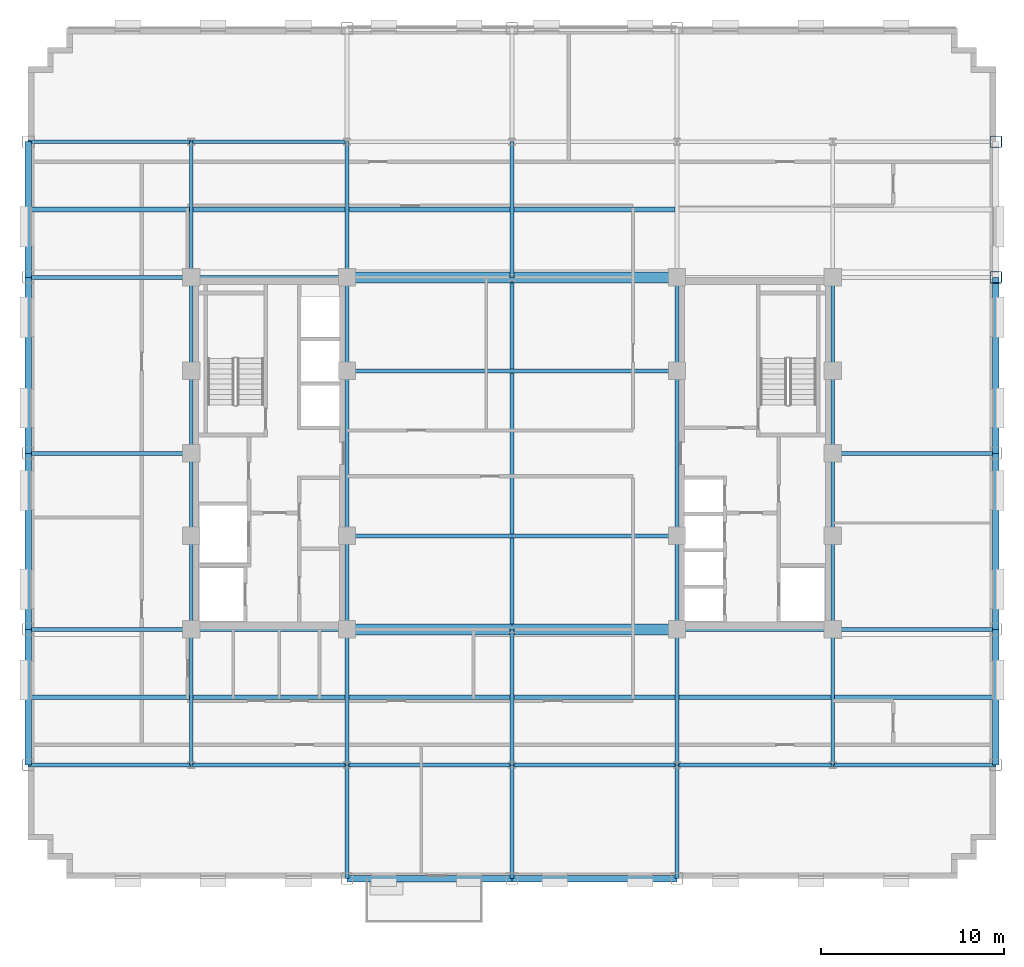
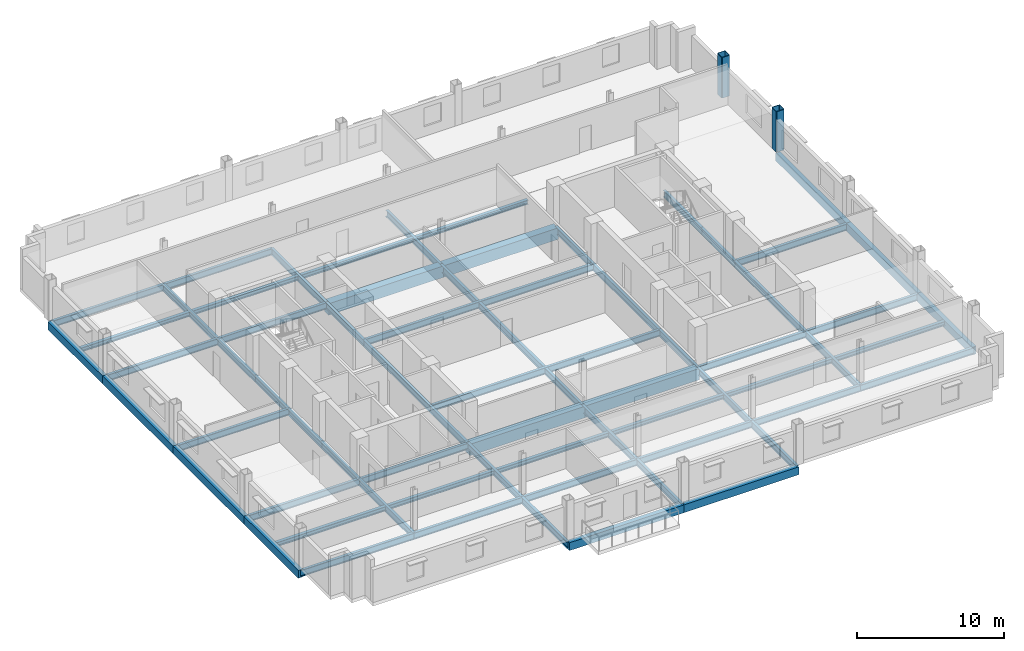
# One storey, part 4 of 14: 67 beams, 2 columns.
"""IFC4 building model written with IfcOpenShell, lengths in metres."""

from ifc_helpers import new_model, si_unit, direction, frame, origin, origin_2d, place, context, subcontext, project, spatial, rectangle, hollow_rectangle, i_section, extrude, material, material_profile, profile_set, type_object, element, save


model = new_model("IFC4")

# Units and contexts
model_context = context("Model", 3, precision=1e-05, world=origin(), true_north=direction((0.0, 1.0)))
body_context = subcontext(model_context, "Body", "Model", "MODEL_VIEW")
ifc_project = project(units=[si_unit("LENGTHUNIT", "METRE"), si_unit("AREAUNIT", "SQUARE_METRE"), si_unit("VOLUMEUNIT", "CUBIC_METRE"), si_unit("PLANEANGLEUNIT", "RADIAN"), si_unit("MASSUNIT", "GRAM", prefix="KILO")], contexts=[model_context])

# Site, building, storey
site_placement = place(None, origin())
site = spatial("IfcSite", under=ifc_project, at=site_placement, CompositionType="ELEMENT")
building_placement = place(site_placement, origin())
building = spatial("IfcBuilding", under=site, at=building_placement, Name="Nuvemarco Arch Tower", CompositionType="ELEMENT")
storey_placement = place(building_placement, frame((0.0, 0.0, 134.800048828125)))
storey = spatial("IfcBuildingStorey", under=building, at=storey_placement, Name="L35", CompositionType="ELEMENT", Elevation=134.800048828125)

# Columns
ifc_material_1 = material(Name="Steel S355", Category="steel")
ifc_material_profile_1 = material_profile(ifc_material_1, hollow_rectangle(XDim=0.64990234375, YDim=0.64990234375, WallThickness=0.0400390625, InnerFilletRadius=0.0400390625, OuterFilletRadius=0.080078125, at=origin_2d()), Name="SHS650x650x40")
ifc_profile_set_1 = profile_set([ifc_material_profile_1], Name="Steel S355")
column_type = type_object("IfcColumnType", Name="COL-EXO-650", PredefinedType="COLUMN", material=ifc_profile_set_1)
for number, where, z_axis, x_axis, name in (
    (1, (26.39990234375, 9.60009765625, 0.0), (0.0, 0.0, 1.0), (1.0, 0.0, 0.0), "L35 column CX_+26.4_+9.6"),
    (2, (26.39990234375, 17.0, 0.0), (0.0, 0.0, 1.0), (1.0, 0.0, 0.0), "L35 column CX_+26.4_+17.0"),
):
    element("IfcColumn", number, at=place(storey_placement, frame(where, z_axis=z_axis, x_axis=x_axis)), inside=storey, type_object=column_type, Name=name, PredefinedType="COLUMN", context=body_context, shape_type="SweptSolid", body=[
        extrude(hollow_rectangle(XDim=0.64990234375, YDim=0.64990234375, WallThickness=0.0400390625, InnerFilletRadius=0.0400390625, OuterFilletRadius=0.080078125, at=origin_2d()), origin(), (0.0, 0.0, 1.0), 3.369873046875),
    ])

# Beams
ifc_material_2 = material(Name="Concrete C60/75", Category="concrete")
ifc_material_profile_2 = material_profile(ifc_material_2, rectangle(XDim=0.60009765625, YDim=0.949951171875, at=origin_2d()), Name="RC-BM-600x950")
ifc_profile_set_2 = profile_set([ifc_material_profile_2], Name="Concrete C60/75")
beam_type_1 = type_object("IfcBeamType", Name="BM-COUP-RC", PredefinedType="LINTEL", material=ifc_profile_set_2)
for number, where, z_axis, x_axis, name in (
    (3, (-9.0, -9.60009765625, -0.755126953125), (1.0, 0.0, 0.0), (0.0, 1.0, 0.0), "L35 structural beam BGEW_L35_0_-9.6_-9.0"),
    (4, (0.0, -9.60009765625, -0.755126953125), (1.0, 0.0, 0.0), (0.0, 1.0, 0.0), "L35 structural beam BGEW_L35_0_-9.6_+0.0"),
    (5, (-9.0, 9.60009765625, -0.755126953125), (1.0, 0.0, 0.0), (0.0, 1.0, 0.0), "L35 structural beam BGEW_L35_0_+9.6_-9.0"),
    (6, (0.0, 9.60009765625, -0.755126953125), (1.0, 0.0, 0.0), (0.0, 1.0, 0.0), "L35 structural beam BGEW_L35_0_+9.6_+0.0"),
):
    element("IfcBeam", number, at=place(storey_placement, frame(where, z_axis=z_axis, x_axis=x_axis)), inside=storey, type_object=beam_type_1, Name=name, PredefinedType="LINTEL", context=body_context, shape_type="SweptSolid", body=[
        extrude(rectangle(XDim=0.60009765625, YDim=0.949951171875, at=origin_2d()), origin(), (0.0, 0.0, 1.0), 9.0),
    ])
ifc_material_profile_3 = material_profile(ifc_material_1, i_section(OverallWidth=0.2109375, OverallDepth=0.5390625, WebThickness=0.01171875, FlangeThickness=0.018798828125, FilletRadius=0.01611328125, at=origin_2d()), Name="W530x109")
ifc_profile_set_3 = profile_set([ifc_material_profile_3], Name="Steel S355")
beam_type_2 = type_object("IfcBeamType", Name="BM-GIRD-530", PredefinedType="BEAM", material=ifc_profile_set_3)
beam_1_placement = place(storey_placement, frame((-17.5, -17.0, -0.549560546875), z_axis=(0.0, 1.0, 0.0), x_axis=(-1.0, 0.0, 0.0)))
element("IfcBeam", 7, at=beam_1_placement, inside=storey, type_object=beam_type_2, Name="L35 structural beam BGNS_L35_0_-17.5_-17.0", PredefinedType="BEAM", context=body_context, shape_type="SweptSolid", body=[
    extrude(i_section(OverallWidth=0.2109375, OverallDepth=0.5390625, WebThickness=0.01171875, FlangeThickness=0.018798828125, FilletRadius=0.01611328125, at=origin_2d()), origin(), (0.0, 0.0, 1.0), 7.39990234375),
])
beam_2_placement = place(storey_placement, frame((-17.5, -9.60009765625, -0.549560546875), z_axis=(0.0, 1.0, 0.0), x_axis=(-1.0, 0.0, 0.0)))
element("IfcBeam", 8, at=beam_2_placement, inside=storey, type_object=beam_type_2, Name="L35 structural beam BGNS_L35_0_-17.5_-9.6", PredefinedType="BEAM", context=body_context, shape_type="SweptSolid", body=[
    extrude(i_section(OverallWidth=0.2109375, OverallDepth=0.5390625, WebThickness=0.01171875, FlangeThickness=0.018798828125, FilletRadius=0.01611328125, at=origin_2d()), origin(), (0.0, 0.0, 1.0), 5.10009765625),
])
for number, where, z_axis, x_axis, name in (
    (9, (-17.5, -4.5, -0.549560546875), (0.0, 1.0, 0.0), (-1.0, 0.0, 0.0), "L35 structural beam BGNS_L35_0_-17.5_-4.5"),
    (10, (-17.5, 0.0, -0.549560546875), (0.0, 1.0, 0.0), (-1.0, 0.0, 0.0), "L35 structural beam BGNS_L35_0_-17.5_+0.0"),
):
    element("IfcBeam", number, at=place(storey_placement, frame(where, z_axis=z_axis, x_axis=x_axis)), inside=storey, type_object=beam_type_2, Name=name, PredefinedType="BEAM", context=body_context, shape_type="SweptSolid", body=[
        extrude(i_section(OverallWidth=0.2109375, OverallDepth=0.5390625, WebThickness=0.01171875, FlangeThickness=0.018798828125, FilletRadius=0.01611328125, at=origin_2d()), origin(), (0.0, 0.0, 1.0), 4.5),
    ])
beam_3_placement = place(storey_placement, frame((-17.5, 4.5, -0.549560546875), z_axis=(0.0, 1.0, 0.0), x_axis=(-1.0, 0.0, 0.0)))
element("IfcBeam", 11, at=beam_3_placement, inside=storey, type_object=beam_type_2, Name="L35 structural beam BGNS_L35_0_-17.5_+4.5", PredefinedType="BEAM", context=body_context, shape_type="SweptSolid", body=[
    extrude(i_section(OverallWidth=0.2109375, OverallDepth=0.5390625, WebThickness=0.01171875, FlangeThickness=0.018798828125, FilletRadius=0.01611328125, at=origin_2d()), origin(), (0.0, 0.0, 1.0), 5.10009765625),
])
beam_4_placement = place(storey_placement, frame((-17.5, 9.60009765625, -0.549560546875), z_axis=(0.0, 1.0, 0.0), x_axis=(-1.0, 0.0, 0.0)))
element("IfcBeam", 12, at=beam_4_placement, inside=storey, type_object=beam_type_2, Name="L35 structural beam BGNS_L35_0_-17.5_+9.6", PredefinedType="BEAM", context=body_context, shape_type="SweptSolid", body=[
    extrude(i_section(OverallWidth=0.2109375, OverallDepth=0.5390625, WebThickness=0.01171875, FlangeThickness=0.018798828125, FilletRadius=0.01611328125, at=origin_2d()), origin(), (0.0, 0.0, 1.0), 7.39990234375),
])
beam_5_placement = place(storey_placement, frame((-9.0, -23.199951171875, -0.549560546875), z_axis=(0.0, 1.0, 0.0), x_axis=(-1.0, 0.0, 0.0)))
element("IfcBeam", 13, at=beam_5_placement, inside=storey, type_object=beam_type_2, Name="L35 structural beam BGNS_L35_0_-9.0_-23.2", PredefinedType="BEAM", context=body_context, shape_type="SweptSolid", body=[
    extrude(i_section(OverallWidth=0.2109375, OverallDepth=0.5390625, WebThickness=0.01171875, FlangeThickness=0.018798828125, FilletRadius=0.01611328125, at=origin_2d()), origin(), (0.0, 0.0, 1.0), 6.199951171875),
])
beam_6_placement = place(storey_placement, frame((-9.0, -17.0, -0.549560546875), z_axis=(0.0, 1.0, 0.0), x_axis=(-1.0, 0.0, 0.0)))
element("IfcBeam", 14, at=beam_6_placement, inside=storey, type_object=beam_type_2, Name="L35 structural beam BGNS_L35_0_-9.0_-17.0", PredefinedType="BEAM", context=body_context, shape_type="SweptSolid", body=[
    extrude(i_section(OverallWidth=0.2109375, OverallDepth=0.5390625, WebThickness=0.01171875, FlangeThickness=0.018798828125, FilletRadius=0.01611328125, at=origin_2d()), origin(), (0.0, 0.0, 1.0), 7.39990234375),
])
beam_7_placement = place(storey_placement, frame((-9.0, -9.60009765625, -0.549560546875), z_axis=(0.0, 1.0, 0.0), x_axis=(-1.0, 0.0, 0.0)))
element("IfcBeam", 15, at=beam_7_placement, inside=storey, type_object=beam_type_2, Name="L35 structural beam BGNS_L35_0_-9.0_-9.6", PredefinedType="BEAM", context=body_context, shape_type="SweptSolid", body=[
    extrude(i_section(OverallWidth=0.2109375, OverallDepth=0.5390625, WebThickness=0.01171875, FlangeThickness=0.018798828125, FilletRadius=0.01611328125, at=origin_2d()), origin(), (0.0, 0.0, 1.0), 5.10009765625),
])
beam_8_placement = place(storey_placement, frame((-9.0, -4.5, -0.549560546875), z_axis=(0.0, 1.0, 0.0), x_axis=(-1.0, 0.0, 0.0)))
element("IfcBeam", 16, at=beam_8_placement, inside=storey, type_object=beam_type_2, Name="L35 structural beam BGNS_L35_0_-9.0_-4.5", PredefinedType="BEAM", context=body_context, shape_type="SweptSolid", body=[
    extrude(i_section(OverallWidth=0.2109375, OverallDepth=0.5390625, WebThickness=0.01171875, FlangeThickness=0.018798828125, FilletRadius=0.01611328125, at=origin_2d()), origin(), (0.0, 0.0, 1.0), 9.0),
])
beam_9_placement = place(storey_placement, frame((-9.0, 4.5, -0.549560546875), z_axis=(0.0, 1.0, 0.0), x_axis=(-1.0, 0.0, 0.0)))
element("IfcBeam", 17, at=beam_9_placement, inside=storey, type_object=beam_type_2, Name="L35 structural beam BGNS_L35_0_-9.0_+4.5", PredefinedType="BEAM", context=body_context, shape_type="SweptSolid", body=[
    extrude(i_section(OverallWidth=0.2109375, OverallDepth=0.5390625, WebThickness=0.01171875, FlangeThickness=0.018798828125, FilletRadius=0.01611328125, at=origin_2d()), origin(), (0.0, 0.0, 1.0), 5.10009765625),
])
beam_10_placement = place(storey_placement, frame((-9.0, 9.60009765625, -0.549560546875), z_axis=(0.0, 1.0, 0.0), x_axis=(-1.0, 0.0, 0.0)))
element("IfcBeam", 18, at=beam_10_placement, inside=storey, type_object=beam_type_2, Name="L35 structural beam BGNS_L35_0_-9.0_+9.6", PredefinedType="BEAM", context=body_context, shape_type="SweptSolid", body=[
    extrude(i_section(OverallWidth=0.2109375, OverallDepth=0.5390625, WebThickness=0.01171875, FlangeThickness=0.018798828125, FilletRadius=0.01611328125, at=origin_2d()), origin(), (0.0, 0.0, 1.0), 7.39990234375),
])
beam_11_placement = place(storey_placement, frame((0.0, -23.199951171875, -0.549560546875), z_axis=(0.0, 1.0, 0.0), x_axis=(-1.0, 0.0, 0.0)))
element("IfcBeam", 19, at=beam_11_placement, inside=storey, type_object=beam_type_2, Name="L35 structural beam BGNS_L35_0_+0.0_-23.2", PredefinedType="BEAM", context=body_context, shape_type="SweptSolid", body=[
    extrude(i_section(OverallWidth=0.2109375, OverallDepth=0.5390625, WebThickness=0.01171875, FlangeThickness=0.018798828125, FilletRadius=0.01611328125, at=origin_2d()), origin(), (0.0, 0.0, 1.0), 6.199951171875),
])
beam_12_placement = place(storey_placement, frame((0.0, -17.0, -0.549560546875), z_axis=(0.0, 1.0, 0.0), x_axis=(-1.0, 0.0, 0.0)))
element("IfcBeam", 20, at=beam_12_placement, inside=storey, type_object=beam_type_2, Name="L35 structural beam BGNS_L35_0_+0.0_-17.0", PredefinedType="BEAM", context=body_context, shape_type="SweptSolid", body=[
    extrude(i_section(OverallWidth=0.2109375, OverallDepth=0.5390625, WebThickness=0.01171875, FlangeThickness=0.018798828125, FilletRadius=0.01611328125, at=origin_2d()), origin(), (0.0, 0.0, 1.0), 7.39990234375),
])
beam_13_placement = place(storey_placement, frame((0.0, -9.60009765625, -0.549560546875), z_axis=(0.0, 1.0, 0.0), x_axis=(-1.0, 0.0, 0.0)))
element("IfcBeam", 21, at=beam_13_placement, inside=storey, type_object=beam_type_2, Name="L35 structural beam BGNS_L35_0_+0.0_-9.6", PredefinedType="BEAM", context=body_context, shape_type="SweptSolid", body=[
    extrude(i_section(OverallWidth=0.2109375, OverallDepth=0.5390625, WebThickness=0.01171875, FlangeThickness=0.018798828125, FilletRadius=0.01611328125, at=origin_2d()), origin(), (0.0, 0.0, 1.0), 19.2001953125),
])
beam_14_placement = place(storey_placement, frame((0.0, 9.60009765625, -0.549560546875), z_axis=(0.0, 1.0, 0.0), x_axis=(-1.0, 0.0, 0.0)))
element("IfcBeam", 22, at=beam_14_placement, inside=storey, type_object=beam_type_2, Name="L35 structural beam BGNS_L35_0_+0.0_+9.6", PredefinedType="BEAM", context=body_context, shape_type="SweptSolid", body=[
    extrude(i_section(OverallWidth=0.2109375, OverallDepth=0.5390625, WebThickness=0.01171875, FlangeThickness=0.018798828125, FilletRadius=0.01611328125, at=origin_2d()), origin(), (0.0, 0.0, 1.0), 7.39990234375),
])
beam_15_placement = place(storey_placement, frame((9.0, -23.199951171875, -0.549560546875), z_axis=(0.0, 1.0, 0.0), x_axis=(-1.0, 0.0, 0.0)))
element("IfcBeam", 23, at=beam_15_placement, inside=storey, type_object=beam_type_2, Name="L35 structural beam BGNS_L35_0_+9.0_-23.2", PredefinedType="BEAM", context=body_context, shape_type="SweptSolid", body=[
    extrude(i_section(OverallWidth=0.2109375, OverallDepth=0.5390625, WebThickness=0.01171875, FlangeThickness=0.018798828125, FilletRadius=0.01611328125, at=origin_2d()), origin(), (0.0, 0.0, 1.0), 6.199951171875),
])
beam_16_placement = place(storey_placement, frame((9.0, -17.0, -0.549560546875), z_axis=(0.0, 1.0, 0.0), x_axis=(-1.0, 0.0, 0.0)))
element("IfcBeam", 24, at=beam_16_placement, inside=storey, type_object=beam_type_2, Name="L35 structural beam BGNS_L35_0_+9.0_-17.0", PredefinedType="BEAM", context=body_context, shape_type="SweptSolid", body=[
    extrude(i_section(OverallWidth=0.2109375, OverallDepth=0.5390625, WebThickness=0.01171875, FlangeThickness=0.018798828125, FilletRadius=0.01611328125, at=origin_2d()), origin(), (0.0, 0.0, 1.0), 7.39990234375),
])
beam_17_placement = place(storey_placement, frame((9.0, -9.60009765625, -0.549560546875), z_axis=(0.0, 1.0, 0.0), x_axis=(-1.0, 0.0, 0.0)))
element("IfcBeam", 25, at=beam_17_placement, inside=storey, type_object=beam_type_2, Name="L35 structural beam BGNS_L35_0_+9.0_-9.6", PredefinedType="BEAM", context=body_context, shape_type="SweptSolid", body=[
    extrude(i_section(OverallWidth=0.2109375, OverallDepth=0.5390625, WebThickness=0.01171875, FlangeThickness=0.018798828125, FilletRadius=0.01611328125, at=origin_2d()), origin(), (0.0, 0.0, 1.0), 5.10009765625),
])
beam_18_placement = place(storey_placement, frame((9.0, -4.5, -0.549560546875), z_axis=(0.0, 1.0, 0.0), x_axis=(-1.0, 0.0, 0.0)))
element("IfcBeam", 26, at=beam_18_placement, inside=storey, type_object=beam_type_2, Name="L35 structural beam BGNS_L35_0_+9.0_-4.5", PredefinedType="BEAM", context=body_context, shape_type="SweptSolid", body=[
    extrude(i_section(OverallWidth=0.2109375, OverallDepth=0.5390625, WebThickness=0.01171875, FlangeThickness=0.018798828125, FilletRadius=0.01611328125, at=origin_2d()), origin(), (0.0, 0.0, 1.0), 9.0),
])
beam_19_placement = place(storey_placement, frame((9.0, 4.5, -0.549560546875), z_axis=(0.0, 1.0, 0.0), x_axis=(-1.0, 0.0, 0.0)))
element("IfcBeam", 27, at=beam_19_placement, inside=storey, type_object=beam_type_2, Name="L35 structural beam BGNS_L35_0_+9.0_+4.5", PredefinedType="BEAM", context=body_context, shape_type="SweptSolid", body=[
    extrude(i_section(OverallWidth=0.2109375, OverallDepth=0.5390625, WebThickness=0.01171875, FlangeThickness=0.018798828125, FilletRadius=0.01611328125, at=origin_2d()), origin(), (0.0, 0.0, 1.0), 5.10009765625),
])
beam_20_placement = place(storey_placement, frame((17.5, -17.0, -0.549560546875), z_axis=(0.0, 1.0, 0.0), x_axis=(-1.0, 0.0, 0.0)))
element("IfcBeam", 28, at=beam_20_placement, inside=storey, type_object=beam_type_2, Name="L35 structural beam BGNS_L35_0_+17.5_-17.0", PredefinedType="BEAM", context=body_context, shape_type="SweptSolid", body=[
    extrude(i_section(OverallWidth=0.2109375, OverallDepth=0.5390625, WebThickness=0.01171875, FlangeThickness=0.018798828125, FilletRadius=0.01611328125, at=origin_2d()), origin(), (0.0, 0.0, 1.0), 7.39990234375),
])
beam_21_placement = place(storey_placement, frame((17.5, -9.60009765625, -0.549560546875), z_axis=(0.0, 1.0, 0.0), x_axis=(-1.0, 0.0, 0.0)))
element("IfcBeam", 29, at=beam_21_placement, inside=storey, type_object=beam_type_2, Name="L35 structural beam BGNS_L35_0_+17.5_-9.6", PredefinedType="BEAM", context=body_context, shape_type="SweptSolid", body=[
    extrude(i_section(OverallWidth=0.2109375, OverallDepth=0.5390625, WebThickness=0.01171875, FlangeThickness=0.018798828125, FilletRadius=0.01611328125, at=origin_2d()), origin(), (0.0, 0.0, 1.0), 5.10009765625),
])
for number, where, z_axis, x_axis, name in (
    (30, (17.5, -4.5, -0.549560546875), (0.0, 1.0, 0.0), (-1.0, 0.0, 0.0), "L35 structural beam BGNS_L35_0_+17.5_-4.5"),
    (31, (17.5, 0.0, -0.549560546875), (0.0, 1.0, 0.0), (-1.0, 0.0, 0.0), "L35 structural beam BGNS_L35_0_+17.5_+0.0"),
):
    element("IfcBeam", number, at=place(storey_placement, frame(where, z_axis=z_axis, x_axis=x_axis)), inside=storey, type_object=beam_type_2, Name=name, PredefinedType="BEAM", context=body_context, shape_type="SweptSolid", body=[
        extrude(i_section(OverallWidth=0.2109375, OverallDepth=0.5390625, WebThickness=0.01171875, FlangeThickness=0.018798828125, FilletRadius=0.01611328125, at=origin_2d()), origin(), (0.0, 0.0, 1.0), 4.5),
    ])
beam_22_placement = place(storey_placement, frame((17.5, 4.5, -0.549560546875), z_axis=(0.0, 1.0, 0.0), x_axis=(-1.0, 0.0, 0.0)))
element("IfcBeam", 32, at=beam_22_placement, inside=storey, type_object=beam_type_2, Name="L35 structural beam BGNS_L35_0_+17.5_+4.5", PredefinedType="BEAM", context=body_context, shape_type="SweptSolid", body=[
    extrude(i_section(OverallWidth=0.2109375, OverallDepth=0.5390625, WebThickness=0.01171875, FlangeThickness=0.018798828125, FilletRadius=0.01611328125, at=origin_2d()), origin(), (0.0, 0.0, 1.0), 5.10009765625),
])
beam_23_placement = place(storey_placement, frame((-26.39990234375, -17.0, -0.549560546875), z_axis=(1.0, 0.0, 0.0), x_axis=(0.0, 1.0, 0.0)))
element("IfcBeam", 33, at=beam_23_placement, inside=storey, type_object=beam_type_2, Name="L35 structural beam BGEW_L35_0_-17.0_-26.4", PredefinedType="BEAM", context=body_context, shape_type="SweptSolid", body=[
    extrude(i_section(OverallWidth=0.2109375, OverallDepth=0.5390625, WebThickness=0.01171875, FlangeThickness=0.018798828125, FilletRadius=0.01611328125, at=origin_2d()), origin(), (0.0, 0.0, 1.0), 8.89990234375),
])
beam_24_placement = place(storey_placement, frame((-17.5, -17.0, -0.549560546875), z_axis=(1.0, 0.0, 0.0), x_axis=(0.0, 1.0, 0.0)))
element("IfcBeam", 34, at=beam_24_placement, inside=storey, type_object=beam_type_2, Name="L35 structural beam BGEW_L35_0_-17.0_-17.5", PredefinedType="BEAM", context=body_context, shape_type="SweptSolid", body=[
    extrude(i_section(OverallWidth=0.2109375, OverallDepth=0.5390625, WebThickness=0.01171875, FlangeThickness=0.018798828125, FilletRadius=0.01611328125, at=origin_2d()), origin(), (0.0, 0.0, 1.0), 8.5),
])
for number, where, z_axis, x_axis, name in (
    (35, (-9.0, -17.0, -0.549560546875), (1.0, 0.0, 0.0), (0.0, 1.0, 0.0), "L35 structural beam BGEW_L35_0_-17.0_-9.0"),
    (36, (0.0, -17.0, -0.549560546875), (1.0, 0.0, 0.0), (0.0, 1.0, 0.0), "L35 structural beam BGEW_L35_0_-17.0_+0.0"),
):
    element("IfcBeam", number, at=place(storey_placement, frame(where, z_axis=z_axis, x_axis=x_axis)), inside=storey, type_object=beam_type_2, Name=name, PredefinedType="BEAM", context=body_context, shape_type="SweptSolid", body=[
        extrude(i_section(OverallWidth=0.2109375, OverallDepth=0.5390625, WebThickness=0.01171875, FlangeThickness=0.018798828125, FilletRadius=0.01611328125, at=origin_2d()), origin(), (0.0, 0.0, 1.0), 9.0),
    ])
beam_25_placement = place(storey_placement, frame((9.0, -17.0, -0.549560546875), z_axis=(1.0, 0.0, 0.0), x_axis=(0.0, 1.0, 0.0)))
element("IfcBeam", 37, at=beam_25_placement, inside=storey, type_object=beam_type_2, Name="L35 structural beam BGEW_L35_0_-17.0_+9.0", PredefinedType="BEAM", context=body_context, shape_type="SweptSolid", body=[
    extrude(i_section(OverallWidth=0.2109375, OverallDepth=0.5390625, WebThickness=0.01171875, FlangeThickness=0.018798828125, FilletRadius=0.01611328125, at=origin_2d()), origin(), (0.0, 0.0, 1.0), 8.5),
])
for number, where, z_axis, x_axis, name in (
    (38, (17.5, -17.0, -0.549560546875), (1.0, 0.0, 0.0), (0.0, 1.0, 0.0), "L35 structural beam BGEW_L35_0_-17.0_+17.5"),
    (39, (-26.39990234375, -9.60009765625, -0.549560546875), (1.0, 0.0, 0.0), (0.0, 1.0, 0.0), "L35 structural beam BGEW_L35_0_-9.6_-26.4"),
):
    element("IfcBeam", number, at=place(storey_placement, frame(where, z_axis=z_axis, x_axis=x_axis)), inside=storey, type_object=beam_type_2, Name=name, PredefinedType="BEAM", context=body_context, shape_type="SweptSolid", body=[
        extrude(i_section(OverallWidth=0.2109375, OverallDepth=0.5390625, WebThickness=0.01171875, FlangeThickness=0.018798828125, FilletRadius=0.01611328125, at=origin_2d()), origin(), (0.0, 0.0, 1.0), 8.89990234375),
    ])
for number, where, z_axis, x_axis, name in (
    (40, (-17.5, -9.60009765625, -0.549560546875), (1.0, 0.0, 0.0), (0.0, 1.0, 0.0), "L35 structural beam BGEW_L35_0_-9.6_-17.5"),
    (41, (9.0, -9.60009765625, -0.549560546875), (1.0, 0.0, 0.0), (0.0, 1.0, 0.0), "L35 structural beam BGEW_L35_0_-9.6_+9.0"),
):
    element("IfcBeam", number, at=place(storey_placement, frame(where, z_axis=z_axis, x_axis=x_axis)), inside=storey, type_object=beam_type_2, Name=name, PredefinedType="BEAM", context=body_context, shape_type="SweptSolid", body=[
        extrude(i_section(OverallWidth=0.2109375, OverallDepth=0.5390625, WebThickness=0.01171875, FlangeThickness=0.018798828125, FilletRadius=0.01611328125, at=origin_2d()), origin(), (0.0, 0.0, 1.0), 8.5),
    ])
beam_26_placement = place(storey_placement, frame((17.5, -9.60009765625, -0.549560546875), z_axis=(1.0, 0.0, 0.0), x_axis=(0.0, 1.0, 0.0)))
element("IfcBeam", 42, at=beam_26_placement, inside=storey, type_object=beam_type_2, Name="L35 structural beam BGEW_L35_0_-9.6_+17.5", PredefinedType="BEAM", context=body_context, shape_type="SweptSolid", body=[
    extrude(i_section(OverallWidth=0.2109375, OverallDepth=0.5390625, WebThickness=0.01171875, FlangeThickness=0.018798828125, FilletRadius=0.01611328125, at=origin_2d()), origin(), (0.0, 0.0, 1.0), 8.89990234375),
])
beam_27_placement = place(storey_placement, frame((-9.0, -4.5, -0.549560546875), z_axis=(1.0, 0.0, 0.0), x_axis=(0.0, 1.0, 0.0)))
element("IfcBeam", 43, at=beam_27_placement, inside=storey, type_object=beam_type_2, Name="L35 structural beam BGEW_L35_0_-4.5_-9.0", PredefinedType="BEAM", context=body_context, shape_type="SweptSolid", body=[
    extrude(i_section(OverallWidth=0.2109375, OverallDepth=0.5390625, WebThickness=0.01171875, FlangeThickness=0.018798828125, FilletRadius=0.01611328125, at=origin_2d()), origin(), (0.0, 0.0, 1.0), 18.0),
])
for number, where, z_axis, x_axis, name in (
    (44, (-26.39990234375, 0.0, -0.549560546875), (1.0, 0.0, 0.0), (0.0, 1.0, 0.0), "L35 structural beam BGEW_L35_0_+0.0_-26.4"),
    (45, (17.5, 0.0, -0.549560546875), (1.0, 0.0, 0.0), (0.0, 1.0, 0.0), "L35 structural beam BGEW_L35_0_+0.0_+17.5"),
):
    element("IfcBeam", number, at=place(storey_placement, frame(where, z_axis=z_axis, x_axis=x_axis)), inside=storey, type_object=beam_type_2, Name=name, PredefinedType="BEAM", context=body_context, shape_type="SweptSolid", body=[
        extrude(i_section(OverallWidth=0.2109375, OverallDepth=0.5390625, WebThickness=0.01171875, FlangeThickness=0.018798828125, FilletRadius=0.01611328125, at=origin_2d()), origin(), (0.0, 0.0, 1.0), 8.89990234375),
    ])
beam_28_placement = place(storey_placement, frame((-9.0, 4.5, -0.549560546875), z_axis=(1.0, 0.0, 0.0), x_axis=(0.0, 1.0, 0.0)))
element("IfcBeam", 46, at=beam_28_placement, inside=storey, type_object=beam_type_2, Name="L35 structural beam BGEW_L35_0_+4.5_-9.0", PredefinedType="BEAM", context=body_context, shape_type="SweptSolid", body=[
    extrude(i_section(OverallWidth=0.2109375, OverallDepth=0.5390625, WebThickness=0.01171875, FlangeThickness=0.018798828125, FilletRadius=0.01611328125, at=origin_2d()), origin(), (0.0, 0.0, 1.0), 18.0),
])
beam_29_placement = place(storey_placement, frame((-26.39990234375, 9.60009765625, -0.549560546875), z_axis=(1.0, 0.0, 0.0), x_axis=(0.0, 1.0, 0.0)))
element("IfcBeam", 47, at=beam_29_placement, inside=storey, type_object=beam_type_2, Name="L35 structural beam BGEW_L35_0_+9.6_-26.4", PredefinedType="BEAM", context=body_context, shape_type="SweptSolid", body=[
    extrude(i_section(OverallWidth=0.2109375, OverallDepth=0.5390625, WebThickness=0.01171875, FlangeThickness=0.018798828125, FilletRadius=0.01611328125, at=origin_2d()), origin(), (0.0, 0.0, 1.0), 8.89990234375),
])
beam_30_placement = place(storey_placement, frame((-17.5, 9.60009765625, -0.549560546875), z_axis=(1.0, 0.0, 0.0), x_axis=(0.0, 1.0, 0.0)))
element("IfcBeam", 48, at=beam_30_placement, inside=storey, type_object=beam_type_2, Name="L35 structural beam BGEW_L35_0_+9.6_-17.5", PredefinedType="BEAM", context=body_context, shape_type="SweptSolid", body=[
    extrude(i_section(OverallWidth=0.2109375, OverallDepth=0.5390625, WebThickness=0.01171875, FlangeThickness=0.018798828125, FilletRadius=0.01611328125, at=origin_2d()), origin(), (0.0, 0.0, 1.0), 8.5),
])
beam_31_placement = place(storey_placement, frame((-26.39990234375, 17.0, -0.549560546875), z_axis=(1.0, 0.0, 0.0), x_axis=(0.0, 1.0, 0.0)))
element("IfcBeam", 49, at=beam_31_placement, inside=storey, type_object=beam_type_2, Name="L35 structural beam BGEW_L35_0_+17.0_-26.4", PredefinedType="BEAM", context=body_context, shape_type="SweptSolid", body=[
    extrude(i_section(OverallWidth=0.2109375, OverallDepth=0.5390625, WebThickness=0.01171875, FlangeThickness=0.018798828125, FilletRadius=0.01611328125, at=origin_2d()), origin(), (0.0, 0.0, 1.0), 8.89990234375),
])
beam_32_placement = place(storey_placement, frame((-17.5, 17.0, -0.549560546875), z_axis=(1.0, 0.0, 0.0), x_axis=(0.0, 1.0, 0.0)))
element("IfcBeam", 50, at=beam_32_placement, inside=storey, type_object=beam_type_2, Name="L35 structural beam BGEW_L35_0_+17.0_-17.5", PredefinedType="BEAM", context=body_context, shape_type="SweptSolid", body=[
    extrude(i_section(OverallWidth=0.2109375, OverallDepth=0.5390625, WebThickness=0.01171875, FlangeThickness=0.018798828125, FilletRadius=0.01611328125, at=origin_2d()), origin(), (0.0, 0.0, 1.0), 8.5),
])
ifc_material_profile_4 = material_profile(ifc_material_1, i_section(OverallWidth=0.2548828125, OverallDepth=0.35693359375, WebThickness=0.010498046875, FlangeThickness=0.018310546875, FilletRadius=0.014892578125, at=origin_2d()), Name="W360x101")
ifc_profile_set_4 = profile_set([ifc_material_profile_4], Name="Steel S355")
beam_type_3 = type_object("IfcBeamType", Name="BM-JOIST-360H", PredefinedType="JOIST", material=ifc_profile_set_4)
beam_33_placement = place(storey_placement, frame((-26.22509765625, -13.300048828125, -0.45849609375), z_axis=(1.0, 0.0, 0.0), x_axis=(0.0, 1.0, 0.0)))
element("IfcBeam", 51, at=beam_33_placement, inside=storey, type_object=beam_type_3, Name="L35 structural beam BJ_L35_0_-13.3_-26.4", PredefinedType="JOIST", context=body_context, shape_type="SweptSolid", body=[
    extrude(i_section(OverallWidth=0.2548828125, OverallDepth=0.35693359375, WebThickness=0.010498046875, FlangeThickness=0.018310546875, FilletRadius=0.014892578125, at=origin_2d()), origin(), (0.0, 0.0, 1.0), 8.61962890625),
])
beam_34_placement = place(storey_placement, frame((-17.39453125, -13.300048828125, -0.45849609375), z_axis=(1.0, 0.0, 0.0), x_axis=(0.0, 1.0, 0.0)))
element("IfcBeam", 52, at=beam_34_placement, inside=storey, type_object=beam_type_3, Name="L35 structural beam BJ_L35_0_-13.3_-17.5", PredefinedType="JOIST", context=body_context, shape_type="SweptSolid", body=[
    extrude(i_section(OverallWidth=0.2548828125, OverallDepth=0.35693359375, WebThickness=0.010498046875, FlangeThickness=0.018310546875, FilletRadius=0.014892578125, at=origin_2d()), origin(), (0.0, 0.0, 1.0), 8.2890625),
])
for number, where, z_axis, x_axis, name in (
    (53, (-8.89453125, -13.300048828125, -0.45849609375), (1.0, 0.0, 0.0), (0.0, 1.0, 0.0), "L35 structural beam BJ_L35_0_-13.3_-9.0"),
    (54, (0.10546875, -13.300048828125, -0.45849609375), (1.0, 0.0, 0.0), (0.0, 1.0, 0.0), "L35 structural beam BJ_L35_0_-13.3_+0.0"),
):
    element("IfcBeam", number, at=place(storey_placement, frame(where, z_axis=z_axis, x_axis=x_axis)), inside=storey, type_object=beam_type_3, Name=name, PredefinedType="JOIST", context=body_context, shape_type="SweptSolid", body=[
        extrude(i_section(OverallWidth=0.2548828125, OverallDepth=0.35693359375, WebThickness=0.010498046875, FlangeThickness=0.018310546875, FilletRadius=0.014892578125, at=origin_2d()), origin(), (0.0, 0.0, 1.0), 8.7890625),
    ])
beam_35_placement = place(storey_placement, frame((9.10546875, -13.300048828125, -0.45849609375), z_axis=(1.0, 0.0, 0.0), x_axis=(0.0, 1.0, 0.0)))
element("IfcBeam", 55, at=beam_35_placement, inside=storey, type_object=beam_type_3, Name="L35 structural beam BJ_L35_0_-13.3_+9.0", PredefinedType="JOIST", context=body_context, shape_type="SweptSolid", body=[
    extrude(i_section(OverallWidth=0.2548828125, OverallDepth=0.35693359375, WebThickness=0.010498046875, FlangeThickness=0.018310546875, FilletRadius=0.014892578125, at=origin_2d()), origin(), (0.0, 0.0, 1.0), 8.2890625),
])
for number, where, z_axis, x_axis, name in (
    (56, (17.60546875, -13.300048828125, -0.45849609375), (1.0, 0.0, 0.0), (0.0, 1.0, 0.0), "L35 structural beam BJ_L35_0_-13.3_+17.5"),
    (57, (-26.22509765625, 13.300048828125, -0.45849609375), (1.0, 0.0, 0.0), (0.0, 1.0, 0.0), "L35 structural beam BJ_L35_0_+13.3_-26.4"),
):
    element("IfcBeam", number, at=place(storey_placement, frame(where, z_axis=z_axis, x_axis=x_axis)), inside=storey, type_object=beam_type_3, Name=name, PredefinedType="JOIST", context=body_context, shape_type="SweptSolid", body=[
        extrude(i_section(OverallWidth=0.2548828125, OverallDepth=0.35693359375, WebThickness=0.010498046875, FlangeThickness=0.018310546875, FilletRadius=0.014892578125, at=origin_2d()), origin(), (0.0, 0.0, 1.0), 8.61962890625),
    ])
beam_36_placement = place(storey_placement, frame((-17.39453125, 13.300048828125, -0.45849609375), z_axis=(1.0, 0.0, 0.0), x_axis=(0.0, 1.0, 0.0)))
element("IfcBeam", 58, at=beam_36_placement, inside=storey, type_object=beam_type_3, Name="L35 structural beam BJ_L35_0_+13.3_-17.5", PredefinedType="JOIST", context=body_context, shape_type="SweptSolid", body=[
    extrude(i_section(OverallWidth=0.2548828125, OverallDepth=0.35693359375, WebThickness=0.010498046875, FlangeThickness=0.018310546875, FilletRadius=0.014892578125, at=origin_2d()), origin(), (0.0, 0.0, 1.0), 8.2890625),
])
for number, where, z_axis, x_axis, name in (
    (59, (-8.89453125, 13.300048828125, -0.45849609375), (1.0, 0.0, 0.0), (0.0, 1.0, 0.0), "L35 structural beam BJ_L35_0_+13.3_-9.0"),
    (60, (0.10546875, 13.300048828125, -0.45849609375), (1.0, 0.0, 0.0), (0.0, 1.0, 0.0), "L35 structural beam BJ_L35_0_+13.3_+0.0"),
):
    element("IfcBeam", number, at=place(storey_placement, frame(where, z_axis=z_axis, x_axis=x_axis)), inside=storey, type_object=beam_type_3, Name=name, PredefinedType="JOIST", context=body_context, shape_type="SweptSolid", body=[
        extrude(i_section(OverallWidth=0.2548828125, OverallDepth=0.35693359375, WebThickness=0.010498046875, FlangeThickness=0.018310546875, FilletRadius=0.014892578125, at=origin_2d()), origin(), (0.0, 0.0, 1.0), 8.7890625),
    ])
ifc_material_3 = material(Name="Precast concrete C45/55", Category="concrete")
ifc_material_profile_5 = material_profile(ifc_material_3, rectangle(XDim=0.35009765625, YDim=0.64990234375, at=origin_2d()), Name="PC-SP-350x650")
ifc_profile_set_5 = profile_set([ifc_material_profile_5], Name="Precast concrete C45/55")
beam_type_4 = type_object("IfcBeamType", Name="BM-SPAN-RC", PredefinedType="SPANDREL", material=ifc_profile_set_5)
beam_37_placement = place(storey_placement, frame((-26.39990234375, -17.0, -0.60498046875), z_axis=(0.0, 1.0, 0.0), x_axis=(-1.0, 0.0, 0.0)))
element("IfcBeam", 61, at=beam_37_placement, inside=storey, type_object=beam_type_4, Name="L35 structural beam BGNS_L35_0_-26.4_-17.0", PredefinedType="SPANDREL", context=body_context, shape_type="SweptSolid", body=[
    extrude(rectangle(XDim=0.35009765625, YDim=0.64990234375, at=origin_2d()), origin(), (0.0, 0.0, 1.0), 7.39990234375),
])
for number, where, z_axis, x_axis, name in (
    (62, (-26.39990234375, -9.60009765625, -0.60498046875), (0.0, 1.0, 0.0), (-1.0, 0.0, 0.0), "L35 structural beam BGNS_L35_0_-26.4_-9.6"),
    (63, (-26.39990234375, 0.0, -0.60498046875), (0.0, 1.0, 0.0), (-1.0, 0.0, 0.0), "L35 structural beam BGNS_L35_0_-26.4_+0.0"),
):
    element("IfcBeam", number, at=place(storey_placement, frame(where, z_axis=z_axis, x_axis=x_axis)), inside=storey, type_object=beam_type_4, Name=name, PredefinedType="SPANDREL", context=body_context, shape_type="SweptSolid", body=[
        extrude(rectangle(XDim=0.35009765625, YDim=0.64990234375, at=origin_2d()), origin(), (0.0, 0.0, 1.0), 9.60009765625),
    ])
for number, where, z_axis, x_axis, name in (
    (64, (-26.39990234375, 9.60009765625, -0.60498046875), (0.0, 1.0, 0.0), (-1.0, 0.0, 0.0), "L35 structural beam BGNS_L35_0_-26.4_+9.6"),
    (65, (26.39990234375, -17.0, -0.60498046875), (0.0, 1.0, 0.0), (-1.0, 0.0, 0.0), "L35 structural beam BGNS_L35_0_+26.4_-17.0"),
):
    element("IfcBeam", number, at=place(storey_placement, frame(where, z_axis=z_axis, x_axis=x_axis)), inside=storey, type_object=beam_type_4, Name=name, PredefinedType="SPANDREL", context=body_context, shape_type="SweptSolid", body=[
        extrude(rectangle(XDim=0.35009765625, YDim=0.64990234375, at=origin_2d()), origin(), (0.0, 0.0, 1.0), 7.39990234375),
    ])
for number, where, z_axis, x_axis, name in (
    (66, (26.39990234375, -9.60009765625, -0.60498046875), (0.0, 1.0, 0.0), (-1.0, 0.0, 0.0), "L35 structural beam BGNS_L35_0_+26.4_-9.6"),
    (67, (26.39990234375, 0.0, -0.60498046875), (0.0, 1.0, 0.0), (-1.0, 0.0, 0.0), "L35 structural beam BGNS_L35_0_+26.4_+0.0"),
):
    element("IfcBeam", number, at=place(storey_placement, frame(where, z_axis=z_axis, x_axis=x_axis)), inside=storey, type_object=beam_type_4, Name=name, PredefinedType="SPANDREL", context=body_context, shape_type="SweptSolid", body=[
        extrude(rectangle(XDim=0.35009765625, YDim=0.64990234375, at=origin_2d()), origin(), (0.0, 0.0, 1.0), 9.60009765625),
    ])
for number, where, z_axis, x_axis, name in (
    (68, (-9.0, -23.199951171875, -0.60498046875), (1.0, 0.0, 0.0), (0.0, 1.0, 0.0), "L35 structural beam BGEW_L35_0_-23.2_-9.0"),
    (69, (0.0, -23.199951171875, -0.60498046875), (1.0, 0.0, 0.0), (0.0, 1.0, 0.0), "L35 structural beam BGEW_L35_0_-23.2_+0.0"),
):
    element("IfcBeam", number, at=place(storey_placement, frame(where, z_axis=z_axis, x_axis=x_axis)), inside=storey, type_object=beam_type_4, Name=name, PredefinedType="SPANDREL", context=body_context, shape_type="SweptSolid", body=[
        extrude(rectangle(XDim=0.35009765625, YDim=0.64990234375, at=origin_2d()), origin(), (0.0, 0.0, 1.0), 9.0),
    ])

save(model, "model.ifc")
